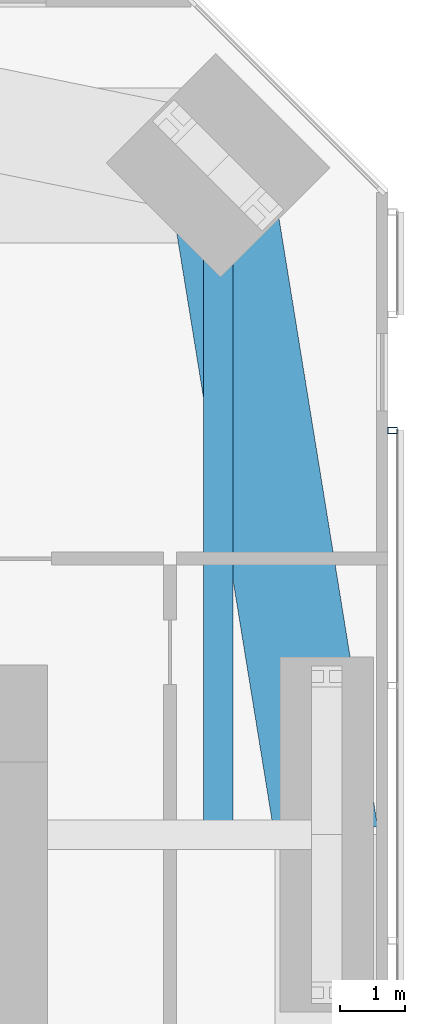
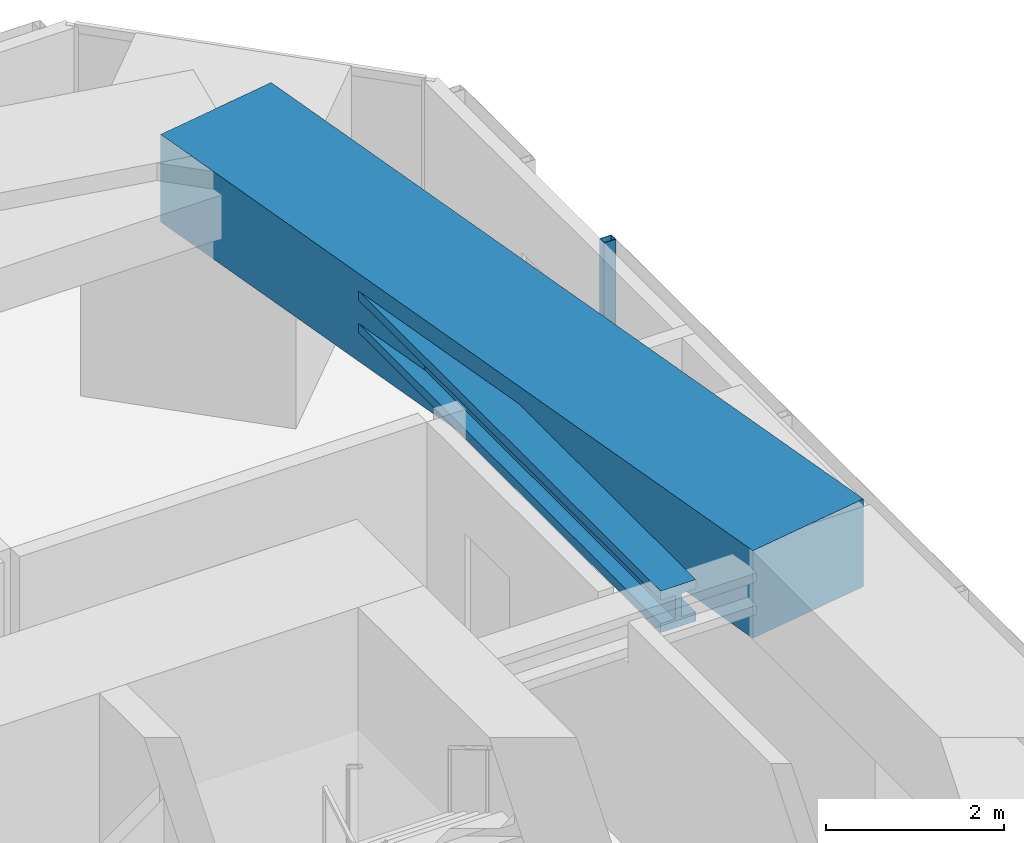
# One storey, part 10 of 23: 2 beams, 1 member, 1 element without a shape of its own.
"""IFC4 building model written with IfcOpenShell, lengths in metres."""

from ifc_helpers import new_model, si_unit, direction, frame, origin, origin_2d, place, context, subcontext, project, spatial, rectangle, hollow_rectangle, i_section, extrude, material, material_profile, profile_set, type_object, element, aggregate, save


model = new_model("IFC4")

# Units and contexts
model_context = context("Model", 3, precision=1e-05, world=origin(), true_north=direction((0.0, 1.0)))
body_context = subcontext(model_context, "Body", "Model", "MODEL_VIEW")
ifc_project = project(units=[si_unit("LENGTHUNIT", "METRE"), si_unit("AREAUNIT", "SQUARE_METRE"), si_unit("VOLUMEUNIT", "CUBIC_METRE"), si_unit("PLANEANGLEUNIT", "RADIAN"), si_unit("MASSUNIT", "GRAM", prefix="KILO")], contexts=[model_context])

# Site, building, storey
site_placement = place(None, origin())
site = spatial("IfcSite", under=ifc_project, at=site_placement, CompositionType="ELEMENT")
building_placement = place(site_placement, origin())
building = spatial("IfcBuilding", under=site, at=building_placement, Name="Jalousie Tower", CompositionType="ELEMENT")
storey_placement = place(building_placement, frame((0.0, 0.0, 111.550048828125)))
storey = spatial("IfcBuildingStorey", under=building, at=storey_placement, Name="L30", CompositionType="ELEMENT", Elevation=111.550048828125)

# Beams
ifc_material_1 = material(Name="Steel ASTM A992 Grade 50", Category="steel")
ifc_material_profile_1 = material_profile(ifc_material_1, i_section(OverallWidth=0.45458984375, OverallDepth=0.569091796875, WebThickness=0.077880859375, FlangeThickness=0.124755859375, at=origin_2d()), Name="W14X730")
ifc_profile_set_1 = profile_set([ifc_material_profile_1], Name="Steel ASTM A992 Grade 50")
beam_type_1 = type_object("IfcBeamType", Name="LEAN COLLECTOR W14X730", PredefinedType="BEAM", material=ifc_profile_set_1)
beam_1_placement = place(storey_placement, frame((46.86865234375, 35.36865234375, 2.825439453125), z_axis=(0.0, -1.0, 0.0), x_axis=(1.0, 0.0, 0.0)))
element("IfcBeam", 1, at=beam_1_placement, inside=storey, type_object=beam_type_1, Name="Lean collector under L31", PredefinedType="BEAM", context=body_context, shape_type="SweptSolid", body=[
    extrude(i_section(OverallWidth=0.45458984375, OverallDepth=0.569091796875, WebThickness=0.077880859375, FlangeThickness=0.124755859375, at=origin_2d()), origin(), (0.0, 0.0, 1.0), 10.36865234375),
])
ifc_material_2 = material(Name="Concrete f'c 40 MPa", Category="concrete")
ifc_material_profile_2 = material_profile(ifc_material_2, rectangle(XDim=1.60009765625, YDim=1.199951171875, at=origin_2d()), Name="RC 1600x1200")
ifc_profile_set_2 = profile_set([ifc_material_profile_2], Name="Concrete f'c 40 MPa")
beam_type_2 = type_object("IfcBeamType", Name="RC BEAM 1600x1200", PredefinedType="BEAM", material=ifc_profile_set_2)
beam_2_placement = place(storey_placement, frame((48.550048828125, 25.0, 2.75), z_axis=(-0.160070546476, 0.987105577003, 0.0), x_axis=(-0.987105577003, -0.160070546476, 0.0)))
element("IfcBeam", 2, at=beam_2_placement, inside=storey, type_object=beam_type_2, Name="Edge band beam 07-08 under L31", PredefinedType="BEAM", context=body_context, shape_type="SweptSolid", body=[
    extrude(rectangle(XDim=1.60009765625, YDim=1.199951171875, at=origin_2d()), origin(), (0.0, 0.0, 1.0), 10.504150390625),
])

# Curtain wall, member
ifc_material_3 = material(Name="Perforated aluminium sheet", Category="aluminium")
curtain_wall_type = type_object("IfcCurtainWallType", Name="SOLAR SCREEN SS-1", PredefinedType="USERDEFINED", material=ifc_material_3)
curtain_wall_placement = place(storey_placement, origin())
curtain_wall = element("IfcCurtainWall", 3, at=curtain_wall_placement, inside=storey, type_object=curtain_wall_type, Name="Solar screen L30", ObjectType="SOLAR SCREEN SS-1", PredefinedType="USERDEFINED")
ifc_material_4 = material(Name="Steel ASTM A500 Grade C", Category="steel")
ifc_material_profile_3 = material_profile(ifc_material_4, hollow_rectangle(XDim=0.1015625, YDim=0.15234375, WallThickness=0.00634765625, at=origin_2d()), Name="HSS6X4X1/4")
ifc_profile_set_3 = profile_set([ifc_material_profile_3], Name="Steel ASTM A500 Grade C")
member_type = type_object("IfcMemberType", Name="SOLAR SCREEN SS-1 MULLION", PredefinedType="MULLION", material=ifc_profile_set_3)
member_placement = place(storey_placement, frame((49.5712890625, 31.261962890625, -0.1201171875), z_axis=(0.0, 0.0, 1.0), x_axis=(0.0, 1.0, 0.0)))
member = element("IfcMember", 4, at=member_placement, type_object=member_type, Name="SS1 post 4", PredefinedType="MULLION", context=body_context, shape_type="SweptSolid", body=[
    extrude(hollow_rectangle(XDim=0.1015625, YDim=0.15234375, WallThickness=0.00634765625, at=origin_2d()), origin(), (0.0, 0.0, 1.0), 3.22998046875),
])
aggregate(curtain_wall, [member])

save(model, "model.ifc")
